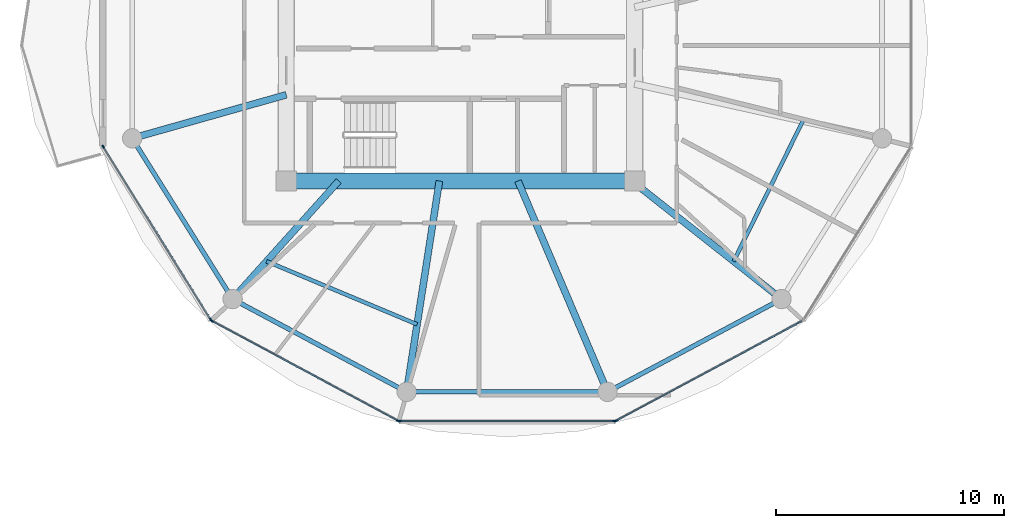
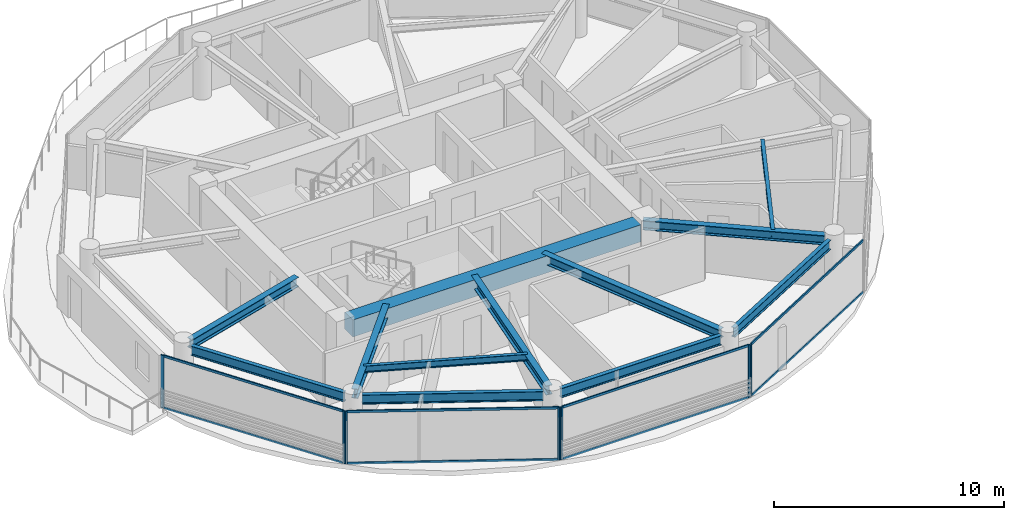
# One storey, part 2 of 22: 15 members, 12 beams, 4 elements without a shape of their own.
"""IFC4 building model written with IfcOpenShell, lengths in metres."""

from ifc_helpers import new_model, si_unit, direction, frame, origin, origin_2d, place, context, subcontext, project, spatial, rectangle, i_section, extrude, source, transform, mapped, material, layer, layer_set, material_profile, profile_set, type_object, type_shapes, element, aggregate, save


model = new_model("IFC4")

# Units and contexts
model_context = context("Model", 3, precision=1e-05, world=origin(), true_north=direction((0.0, 1.0)))
body_context = subcontext(model_context, "Body", "Model", "MODEL_VIEW")
ifc_project = project(units=[si_unit("LENGTHUNIT", "METRE"), si_unit("AREAUNIT", "SQUARE_METRE"), si_unit("VOLUMEUNIT", "CUBIC_METRE"), si_unit("PLANEANGLEUNIT", "RADIAN"), si_unit("MASSUNIT", "GRAM", prefix="KILO")], contexts=[model_context])

# Site, building, storey
site_placement = place(None, origin())
site = spatial("IfcSite", under=ifc_project, at=site_placement, CompositionType="ELEMENT")
building_placement = place(site_placement, origin())
building = spatial("IfcBuilding", under=site, at=building_placement, Name="Norrkilde Senior Care Towers", CompositionType="ELEMENT")
storey_placement = place(building_placement, frame((0.0, 0.0, 87.10009765625)))
storey = spatial("IfcBuildingStorey", under=building, at=storey_placement, Name="L26", CompositionType="ELEMENT", Elevation=87.10009765625)

# Beams
ifc_material_1 = material(Name="Concrete C60/75", Category="concrete")
ifc_material_profile_1 = material_profile(ifc_material_1, rectangle(XDim=0.699951171875, YDim=0.89990234375, at=origin_2d()), Name="RC BM 700x900")
ifc_profile_set_1 = profile_set([ifc_material_profile_1], Name="Concrete C60/75")
beam_type_1 = type_object("IfcBeamType", Name="Core Coupling Girder 700x900", PredefinedType="USERDEFINED", material=ifc_profile_set_1)
shared_shape_1 = source(origin(), body_context, "Body", "SweptSolid", [
    extrude(rectangle(XDim=0.699951171875, YDim=0.89990234375, at=origin_2d()), origin(), (0.0, 0.0, 1.0), 14.43994140625),
])
type_shapes(beam_type_1, [shared_shape_1])
beam_1_placement = place(storey_placement, frame((-35.219970703125, -5.949951171875, 2.33984375), z_axis=(1.0, 0.0, 0.0), x_axis=(0.0, 1.0, 0.0)))
element("IfcBeam", 1, at=beam_1_placement, inside=storey, type_object=beam_type_1, Name="L26 Core W S Coupling Girder", ObjectType="GIRDER", PredefinedType="USERDEFINED", context=body_context, shape_type="MappedRepresentation", body=[
    mapped(shared_shape_1, transform((0.0, 0.0, 0.0), x_axis=(1.0, 0.0, 0.0), y_axis=(0.0, 1.0, 0.0), z_axis=(0.0, 0.0, 1.0), scale=1.0)),
])
ifc_material_2 = material(Name="Steel S355", Category="steel")
ifc_material_profile_2 = material_profile(ifc_material_2, i_section(OverallWidth=0.199951171875, OverallDepth=0.5, WebThickness=0.01025390625, FlangeThickness=0.01611328125, FilletRadius=0.02099609375, at=origin_2d()), Name="IPE 500")
ifc_profile_set_2 = profile_set([ifc_material_profile_2], Name="Steel S355")
beam_type_2 = type_object("IfcBeamType", Name="Perimeter Ring Spandrel Z2 IPE500", PredefinedType="SPANDREL", material=ifc_profile_set_2)
shared_shape_2 = source(origin(), body_context, "Body", "SweptSolid", [
    extrude(i_section(OverallWidth=0.199951171875, OverallDepth=0.5, WebThickness=0.01025390625, FlangeThickness=0.01611328125, FilletRadius=0.02099609375, at=origin_2d()), origin(), (0.0, 0.0, 1.0), 7.892333984375),
])
for number, where, z_axis, x_axis, name in (
    (2, (-37.66650390625, -11.318115234375, 2.539794921875), (0.882350372282, -0.47059305194, 0.0), (0.47059305194, 0.882350372282, 0.0), "L26 Drum W Perimeter Spandrel 08"),
    (3, (-21.197509765625, -15.0322265625, 2.539794921875), (0.882350372282, 0.47059305194, 0.0), (-0.47059305194, 0.882350372282, 0.0), "L26 Drum W Perimeter Spandrel 10"),
):
    element("IfcBeam", number, at=place(storey_placement, frame(where, z_axis=z_axis, x_axis=x_axis)), inside=storey, type_object=beam_type_2, Name=name, PredefinedType="SPANDREL", context=body_context, shape_type="MappedRepresentation", body=[
        mapped(shared_shape_2, transform((0.0, 0.0, 0.0), x_axis=(1.0, 0.0, 0.0), y_axis=(0.0, 1.0, 0.0), z_axis=(0.0, 0.0, 1.0), scale=1.0)),
    ])
ifc_material_profile_3 = material_profile(ifc_material_2, i_section(OverallWidth=0.300048828125, OverallDepth=0.5, WebThickness=0.014404296875, FlangeThickness=0.028076171875, FilletRadius=0.027099609375, at=origin_2d()), Name="HEB 500")
ifc_profile_set_3 = profile_set([ifc_material_profile_3], Name="Steel S355")
beam_type_3 = type_object("IfcBeamType", Name="Radial Floor Beam Z2 HEB500", PredefinedType="BEAM", material=ifc_profile_set_3)
shared_shape_3 = source(origin(), body_context, "Body", "SweptSolid", [
    extrude(i_section(OverallWidth=0.300048828125, OverallDepth=0.5, WebThickness=0.014404296875, FlangeThickness=0.028076171875, FilletRadius=0.027099609375, at=origin_2d()), origin(), (0.0, 0.0, 1.0), 7.985595703125),
])
beam_2_placement = place(storey_placement, frame((-20.463623046875, -5.949951171875, 2.539794921875), z_axis=(0.784858505144, -0.619675017169, 0.0), x_axis=(0.619675017169, 0.784858505144, 0.0)))
element("IfcBeam", 4, at=beam_2_placement, inside=storey, type_object=beam_type_3, Name="L26 Drum W Radial Floor Beam 11", PredefinedType="BEAM", context=body_context, shape_type="MappedRepresentation", body=[
    mapped(shared_shape_3, transform((0.0, 0.0, 0.0), x_axis=(1.0, 0.0, 0.0), y_axis=(0.0, 1.0, 0.0), z_axis=(0.0, 0.0, 1.0), scale=1.0)),
])
shared_shape_4 = source(origin(), body_context, "Body", "SweptSolid", [
    extrude(i_section(OverallWidth=0.199951171875, OverallDepth=0.5, WebThickness=0.01025390625, FlangeThickness=0.01611328125, FilletRadius=0.02099609375, at=origin_2d()), origin(), (0.0, 0.0, 1.0), 8.0556640625),
])
beam_3_placement = place(storey_placement, frame((-29.977783203125, -15.21337890625, 2.539794921875), z_axis=(1.0, 0.0, 0.0), x_axis=(0.0, 1.0, 0.0)))
element("IfcBeam", 5, at=beam_3_placement, inside=storey, type_object=beam_type_2, Name="L26 Drum W Perimeter Spandrel 09", PredefinedType="SPANDREL", context=body_context, shape_type="MappedRepresentation", body=[
    mapped(shared_shape_4, transform((0.0, 0.0, 0.0), x_axis=(1.0, 0.0, 0.0), y_axis=(0.0, 1.0, 0.0), z_axis=(0.0, 0.0, 1.0), scale=1.0)),
])
shared_shape_5 = source(origin(), body_context, "Body", "SweptSolid", [
    extrude(i_section(OverallWidth=0.300048828125, OverallDepth=0.5, WebThickness=0.014404296875, FlangeThickness=0.028076171875, FilletRadius=0.027099609375, at=origin_2d()), origin(), (0.0, 0.0, 1.0), 9.679443359375),
])
beam_4_placement = place(storey_placement, frame((-25.472412109375, -5.949951171875, 2.539794921875), z_axis=(0.390998033479, -0.920391513333, 0.0), x_axis=(0.920391513333, 0.390998033479, 0.0)))
element("IfcBeam", 6, at=beam_4_placement, inside=storey, type_object=beam_type_3, Name="L26 Drum W Radial Floor Beam 10", PredefinedType="BEAM", context=body_context, shape_type="MappedRepresentation", body=[
    mapped(shared_shape_5, transform((0.0, 0.0, 0.0), x_axis=(1.0, 0.0, 0.0), y_axis=(0.0, 1.0, 0.0), z_axis=(0.0, 0.0, 1.0), scale=1.0)),
])
shared_shape_6 = source(origin(), body_context, "Body", "SweptSolid", [
    extrude(i_section(OverallWidth=0.300048828125, OverallDepth=0.5, WebThickness=0.014404296875, FlangeThickness=0.028076171875, FilletRadius=0.027099609375, at=origin_2d()), origin(), (0.0, 0.0, 1.0), 8.989501953125),
])
beam_5_placement = place(storey_placement, frame((-28.924072265625, -5.949951171875, 2.539794921875), z_axis=(-0.153471298636, -0.988153105796, 0.0), x_axis=(0.988153105796, -0.153471298636, 0.0)))
element("IfcBeam", 7, at=beam_5_placement, inside=storey, type_object=beam_type_3, Name="L26 Drum W Radial Floor Beam 09", PredefinedType="BEAM", context=body_context, shape_type="MappedRepresentation", body=[
    mapped(shared_shape_6, transform((0.0, 0.0, 0.0), x_axis=(1.0, 0.0, 0.0), y_axis=(0.0, 1.0, 0.0), z_axis=(0.0, 0.0, 1.0), scale=1.0)),
])
shared_shape_7 = source(origin(), body_context, "Body", "SweptSolid", [
    extrude(i_section(OverallWidth=0.199951171875, OverallDepth=0.5, WebThickness=0.01025390625, FlangeThickness=0.01611328125, FilletRadius=0.02099609375, at=origin_2d()), origin(), (0.0, 0.0, 1.0), 7.556396484375),
])
type_shapes(beam_type_2, [shared_shape_2, shared_shape_4, shared_shape_7])
beam_6_placement = place(storey_placement, frame((-42.215087890625, -4.40283203125, 2.539794921875), z_axis=(0.530004748437, -0.847994673706, 0.0), x_axis=(0.847994673706, 0.530004748437, 0.0)))
element("IfcBeam", 8, at=beam_6_placement, inside=storey, type_object=beam_type_2, Name="L26 Drum W Perimeter Spandrel 07", PredefinedType="SPANDREL", context=body_context, shape_type="MappedRepresentation", body=[
    mapped(shared_shape_7, transform((0.0, 0.0, 0.0), x_axis=(1.0, 0.0, 0.0), y_axis=(0.0, 1.0, 0.0), z_axis=(0.0, 0.0, 1.0), scale=1.0)),
])
shared_shape_8 = source(origin(), body_context, "Body", "SweptSolid", [
    extrude(i_section(OverallWidth=0.300048828125, OverallDepth=0.5, WebThickness=0.014404296875, FlangeThickness=0.028076171875, FilletRadius=0.027099609375, at=origin_2d()), origin(), (0.0, 0.0, 1.0), 6.587890625),
])
beam_7_placement = place(storey_placement, frame((-33.345947265625, -5.949951171875, 2.539794921875), z_axis=(-0.668315438605, -0.743877997068, 0.0), x_axis=(0.743877997068, -0.668315438605, 0.0)))
element("IfcBeam", 9, at=beam_7_placement, inside=storey, type_object=beam_type_3, Name="L26 Drum W Radial Floor Beam 08", PredefinedType="BEAM", context=body_context, shape_type="MappedRepresentation", body=[
    mapped(shared_shape_8, transform((0.0, 0.0, 0.0), x_axis=(1.0, 0.0, 0.0), y_axis=(0.0, 1.0, 0.0), z_axis=(0.0, 0.0, 1.0), scale=1.0)),
])
shared_shape_9 = source(origin(), body_context, "Body", "SweptSolid", [
    extrude(i_section(OverallWidth=0.300048828125, OverallDepth=0.5, WebThickness=0.014404296875, FlangeThickness=0.028076171875, FilletRadius=0.027099609375, at=origin_2d()), origin(), (0.0, 0.0, 1.0), 6.6494140625),
])
type_shapes(beam_type_3, [shared_shape_3, shared_shape_5, shared_shape_6, shared_shape_8, shared_shape_9])
beam_8_placement = place(storey_placement, frame((-35.64990234375, -2.162841796875, 2.539794921875), z_axis=(-0.962289138357, -0.27202870106, 0.0), x_axis=(0.27202870106, -0.962289138357, 0.0)))
element("IfcBeam", 10, at=beam_8_placement, inside=storey, type_object=beam_type_3, Name="L26 Drum W Radial Floor Beam 07", PredefinedType="BEAM", context=body_context, shape_type="MappedRepresentation", body=[
    mapped(shared_shape_9, transform((0.0, 0.0, 0.0), x_axis=(1.0, 0.0, 0.0), y_axis=(0.0, 1.0, 0.0), z_axis=(0.0, 0.0, 1.0), scale=1.0)),
])
ifc_material_profile_4 = material_profile(ifc_material_2, i_section(OverallWidth=0.169921875, OverallDepth=0.360107421875, WebThickness=0.008056640625, FlangeThickness=0.0126953125, FilletRadius=0.01806640625, at=origin_2d()), Name="IPE 360")
ifc_profile_set_4 = profile_set([ifc_material_profile_4], Name="Steel S355")
beam_type_4 = type_object("IfcBeamType", Name="Secondary Floor Joist IPE360", PredefinedType="JOIST", material=ifc_profile_set_4)
shared_shape_10 = source(origin(), body_context, "Body", "SweptSolid", [
    extrude(i_section(OverallWidth=0.169921875, OverallDepth=0.360107421875, WebThickness=0.008056640625, FlangeThickness=0.0126953125, FilletRadius=0.01806640625, at=origin_2d()), origin(), (0.0, 0.0, 1.0), 7.169921875),
])
beam_9_placement = place(storey_placement, frame((-36.514892578125, -9.47705078125, 2.60986328125), z_axis=(0.922240600393, -0.386616444279, 0.0), x_axis=(0.386616444279, 0.922240600393, 0.0)))
element("IfcBeam", 11, at=beam_9_placement, inside=storey, type_object=beam_type_4, Name="L26 Drum W Secondary Floor Joist 3", PredefinedType="JOIST", context=body_context, shape_type="MappedRepresentation", body=[
    mapped(shared_shape_10, transform((0.0, 0.0, 0.0), x_axis=(1.0, 0.0, 0.0), y_axis=(0.0, 1.0, 0.0), z_axis=(0.0, 0.0, 1.0), scale=1.0)),
])
shared_shape_11 = source(origin(), body_context, "Body", "SweptSolid", [
    extrude(i_section(OverallWidth=0.169921875, OverallDepth=0.360107421875, WebThickness=0.008056640625, FlangeThickness=0.0126953125, FilletRadius=0.01806640625, at=origin_2d()), origin(), (0.0, 0.0, 1.0), 6.87353515625),
])
type_shapes(beam_type_4, [shared_shape_10, shared_shape_11])
beam_10_placement = place(storey_placement, frame((-15.99609375, -9.47705078125, 2.60986328125), z_axis=(0.44184939592, 0.897089243791, 0.0), x_axis=(-0.897089243791, 0.44184939592, 0.0)))
element("IfcBeam", 12, at=beam_10_placement, inside=storey, type_object=beam_type_4, Name="L26 Drum W Secondary Floor Joist 4", PredefinedType="JOIST", context=body_context, shape_type="MappedRepresentation", body=[
    mapped(shared_shape_11, transform((0.0, 0.0, 0.0), x_axis=(1.0, 0.0, 0.0), y_axis=(0.0, 1.0, 0.0), z_axis=(0.0, 0.0, 1.0), scale=1.0)),
])

# Curtain wall, members
ifc_material_3 = material(Name="Triple Low-E Insulated Glazing", Category="glass")
ifc_layer = layer(ifc_material_3, 0.195068359375)
ifc_layer_set = layer_set([ifc_layer], Name="Triple Low-E Insulated Glazing")
curtain_wall_type = type_object("IfcCurtainWallType", Name="CW3 Zone 2 Assisted Living Curtain Wall", PredefinedType="NOTDEFINED", material=ifc_layer_set)
curtain_wall_1_placement = place(storey_placement, origin())
curtain_wall_1 = element("IfcCurtainWall", 13, at=curtain_wall_1_placement, inside=storey, type_object=curtain_wall_type, Name="L26 Drum W Curtain Wall 06", PredefinedType="NOTDEFINED")
ifc_material_4 = material(Name="Anodised Aluminium", Category="aluminium")
ifc_material_profile_5 = material_profile(ifc_material_4, rectangle(XDim=0.06494140625, YDim=0.159912109375, at=origin_2d()), Name="ALU MULL 65x160")
ifc_profile_set_5 = profile_set([ifc_material_profile_5], Name="Anodised Aluminium")
member_type_1 = type_object("IfcMemberType", Name="Curtain Wall Mullion Z1-Z2 65x160", PredefinedType="MULLION", material=ifc_profile_set_5)
shared_shape_12 = source(origin(), body_context, "Body", "SweptSolid", [
    extrude(rectangle(XDim=0.06494140625, YDim=0.159912109375, at=origin_2d()), origin(), (0.0, 0.0, 1.0), 2.789794921875),
])
type_shapes(member_type_1, [shared_shape_12])
member_1_placement = place(storey_placement, frame((-38.9638671875, -12.0498046875, 0.0), z_axis=(0.0, 0.0, 1.0), x_axis=(-0.849410171862, -0.527733228002, 0.0)))
member_1 = element("IfcMember", 14, at=member_1_placement, type_object=member_type_1, Name="CW-3 mullion 1", PredefinedType="MULLION", context=body_context, shape_type="MappedRepresentation", body=[
    mapped(shared_shape_12, transform((0.0, 0.0, 0.0), x_axis=(1.0, 0.0, 0.0), y_axis=(0.0, 1.0, 0.0), z_axis=(0.0, 0.0, 1.0), scale=1.0)),
])
member_2_placement = place(storey_placement, frame((-43.6865234375, -4.4482421875, 0.0), z_axis=(0.0, 0.0, 1.0), x_axis=(-0.849410171862, -0.527733228002, 0.0)))
member_2 = element("IfcMember", 15, at=member_2_placement, type_object=member_type_1, Name="CW-3 mullion 2", PredefinedType="MULLION", context=body_context, shape_type="MappedRepresentation", body=[
    mapped(shared_shape_12, transform((0.0, 0.0, 0.0), x_axis=(1.0, 0.0, 0.0), y_axis=(0.0, 1.0, 0.0), z_axis=(0.0, 0.0, 1.0), scale=1.0)),
])

curtain_wall_2_placement = place(storey_placement, origin())
curtain_wall_2 = element("IfcCurtainWall", 16, at=curtain_wall_2_placement, inside=storey, type_object=curtain_wall_type, Name="L26 Drum W Curtain Wall 07", PredefinedType="NOTDEFINED")
member_3_placement = place(storey_placement, frame((-30.73583984375, -16.482666015625, 0.0), z_axis=(0.0, 0.0, 1.0), x_axis=(-0.472769402511, -0.881186184668, 0.0)))
member_3 = element("IfcMember", 17, at=member_3_placement, type_object=member_type_1, Name="CW-3 mullion 1", PredefinedType="MULLION", context=body_context, shape_type="MappedRepresentation", body=[
    mapped(shared_shape_12, transform((0.0, 0.0, 0.0), x_axis=(1.0, 0.0, 0.0), y_axis=(0.0, 1.0, 0.0), z_axis=(0.0, 0.0, 1.0), scale=1.0)),
])
member_4_placement = place(storey_placement, frame((-38.91796875, -12.0927734375, 0.0), z_axis=(0.0, 0.0, 1.0), x_axis=(-0.472769402511, -0.881186184668, 0.0)))
member_4 = element("IfcMember", 18, at=member_4_placement, type_object=member_type_1, Name="CW-3 mullion 2", PredefinedType="MULLION", context=body_context, shape_type="MappedRepresentation", body=[
    mapped(shared_shape_12, transform((0.0, 0.0, 0.0), x_axis=(1.0, 0.0, 0.0), y_axis=(0.0, 1.0, 0.0), z_axis=(0.0, 0.0, 1.0), scale=1.0)),
])

curtain_wall_3_placement = place(storey_placement, origin())
curtain_wall_3 = element("IfcCurtainWall", 19, at=curtain_wall_3_placement, inside=storey, type_object=curtain_wall_type, Name="L26 Drum W Curtain Wall 08", PredefinedType="NOTDEFINED")
member_5_placement = place(storey_placement, frame((-21.225341796875, -16.498046875, 0.0), z_axis=(0.0, 0.0, 1.0), x_axis=(0.0, -1.0, 0.0)))
member_5 = element("IfcMember", 20, at=member_5_placement, type_object=member_type_1, Name="CW-3 mullion 1", PredefinedType="MULLION", context=body_context, shape_type="MappedRepresentation", body=[
    mapped(shared_shape_12, transform((0.0, 0.0, 0.0), x_axis=(1.0, 0.0, 0.0), y_axis=(0.0, 1.0, 0.0), z_axis=(0.0, 0.0, 1.0), scale=1.0)),
])
member_6_placement = place(storey_placement, frame((-30.674560546875, -16.498046875, 0.0), z_axis=(0.0, 0.0, 1.0), x_axis=(0.0, -1.0, 0.0)))
member_6 = element("IfcMember", 21, at=member_6_placement, type_object=member_type_1, Name="CW-3 mullion 2", PredefinedType="MULLION", context=body_context, shape_type="MappedRepresentation", body=[
    mapped(shared_shape_12, transform((0.0, 0.0, 0.0), x_axis=(1.0, 0.0, 0.0), y_axis=(0.0, 1.0, 0.0), z_axis=(0.0, 0.0, 1.0), scale=1.0)),
])

# Curtain wall, member
curtain_wall_4_placement = place(storey_placement, origin())
curtain_wall_4 = element("IfcCurtainWall", 22, at=curtain_wall_4_placement, inside=storey, type_object=curtain_wall_type, Name="L26 Drum W Curtain Wall 09", PredefinedType="NOTDEFINED")
member_7_placement = place(storey_placement, frame((-21.164306640625, -16.482666015625, 0.0), z_axis=(0.0, 0.0, 1.0), x_axis=(0.472769402511, -0.881186184668, 0.0)))
member_7 = element("IfcMember", 23, at=member_7_placement, type_object=member_type_1, Name="CW-3 mullion 2", PredefinedType="MULLION", context=body_context, shape_type="MappedRepresentation", body=[
    mapped(shared_shape_12, transform((0.0, 0.0, 0.0), x_axis=(1.0, 0.0, 0.0), y_axis=(0.0, 1.0, 0.0), z_axis=(0.0, 0.0, 1.0), scale=1.0)),
])

# Member
ifc_material_profile_6 = material_profile(ifc_material_4, rectangle(XDim=0.06005859375, YDim=0.1201171875, at=origin_2d()), Name="ALU TRAN 60x120")
ifc_profile_set_6 = profile_set([ifc_material_profile_6], Name="Anodised Aluminium")
member_type_2 = type_object("IfcMemberType", Name="Curtain Wall Transom Typical 60x120", PredefinedType="USERDEFINED", material=ifc_profile_set_6)
shared_shape_13 = source(origin(), body_context, "Body", "SweptSolid", [
    extrude(rectangle(XDim=0.06005859375, YDim=0.1201171875, at=origin_2d()), origin(), (0.0, 0.0, 1.0), 8.88427734375),
])
member_8_placement = place(storey_placement, frame((-38.98095703125, -12.022216796875, 0.02978515625), z_axis=(-0.527729466743, 0.849412508697, 0.0), x_axis=(-0.849412508697, -0.527729466743, 0.0)))
member_8 = element("IfcMember", 24, at=member_8_placement, type_object=member_type_2, Name="CW-3 transom 1.1", ObjectType="TRANSOM", PredefinedType="USERDEFINED", context=body_context, shape_type="MappedRepresentation", body=[
    mapped(shared_shape_13, transform((0.0, 0.0, 0.0), x_axis=(1.0, 0.0, 0.0), y_axis=(0.0, 1.0, 0.0), z_axis=(0.0, 0.0, 1.0), scale=1.0)),
])

member_9_placement = place(storey_placement, frame((-38.98095703125, -12.022216796875, 2.760009765625), z_axis=(-0.527729466743, 0.849412508697, 0.0), x_axis=(-0.849412508697, -0.527729466743, 0.0)))
member_9 = element("IfcMember", 25, at=member_9_placement, type_object=member_type_2, Name="CW-3 transom 1.2", ObjectType="TRANSOM", PredefinedType="USERDEFINED", context=body_context, shape_type="MappedRepresentation", body=[
    mapped(shared_shape_13, transform((0.0, 0.0, 0.0), x_axis=(1.0, 0.0, 0.0), y_axis=(0.0, 1.0, 0.0), z_axis=(0.0, 0.0, 1.0), scale=1.0)),
])

aggregate(curtain_wall_1, [member_1, member_2, member_8, member_9])

shared_shape_14 = source(origin(), body_context, "Body", "SweptSolid", [
    extrude(rectangle(XDim=0.06005859375, YDim=0.1201171875, at=origin_2d()), origin(), (0.0, 0.0, 1.0), 9.220458984375),
])
member_10_placement = place(storey_placement, frame((-30.764404296875, -16.46728515625, 0.02978515625), z_axis=(-0.881188517866, 0.472765053681, 0.0), x_axis=(-0.472765053681, -0.881188517866, 0.0)))
member_10 = element("IfcMember", 26, at=member_10_placement, type_object=member_type_2, Name="CW-3 transom 1.1", ObjectType="TRANSOM", PredefinedType="USERDEFINED", context=body_context, shape_type="MappedRepresentation", body=[
    mapped(shared_shape_14, transform((0.0, 0.0, 0.0), x_axis=(1.0, 0.0, 0.0), y_axis=(0.0, 1.0, 0.0), z_axis=(0.0, 0.0, 1.0), scale=1.0)),
])

member_11_placement = place(storey_placement, frame((-30.764404296875, -16.46728515625, 2.760009765625), z_axis=(-0.881188517866, 0.472765053681, 0.0), x_axis=(-0.472765053681, -0.881188517866, 0.0)))
member_11 = element("IfcMember", 27, at=member_11_placement, type_object=member_type_2, Name="CW-3 transom 1.2", ObjectType="TRANSOM", PredefinedType="USERDEFINED", context=body_context, shape_type="MappedRepresentation", body=[
    mapped(shared_shape_14, transform((0.0, 0.0, 0.0), x_axis=(1.0, 0.0, 0.0), y_axis=(0.0, 1.0, 0.0), z_axis=(0.0, 0.0, 1.0), scale=1.0)),
])

aggregate(curtain_wall_2, [member_3, member_4, member_10, member_11])

member_12_placement = place(storey_placement, frame((-13.0107421875, -12.108154296875, 0.02978515625), z_axis=(-0.881188517866, -0.472765053681, 0.0), x_axis=(0.472765053681, -0.881188517866, 0.0)))
member_12 = element("IfcMember", 28, at=member_12_placement, type_object=member_type_2, Name="CW-3 transom 1.1", ObjectType="TRANSOM", PredefinedType="USERDEFINED", context=body_context, shape_type="MappedRepresentation", body=[
    mapped(shared_shape_14, transform((0.0, 0.0, 0.0), x_axis=(1.0, 0.0, 0.0), y_axis=(0.0, 1.0, 0.0), z_axis=(0.0, 0.0, 1.0), scale=1.0)),
])

member_13_placement = place(storey_placement, frame((-13.0107421875, -12.108154296875, 2.760009765625), z_axis=(-0.881188517866, -0.472765053681, 0.0), x_axis=(0.472765053681, -0.881188517866, 0.0)))
member_13 = element("IfcMember", 29, at=member_13_placement, type_object=member_type_2, Name="CW-3 transom 1.2", ObjectType="TRANSOM", PredefinedType="USERDEFINED", context=body_context, shape_type="MappedRepresentation", body=[
    mapped(shared_shape_14, transform((0.0, 0.0, 0.0), x_axis=(1.0, 0.0, 0.0), y_axis=(0.0, 1.0, 0.0), z_axis=(0.0, 0.0, 1.0), scale=1.0)),
])

aggregate(curtain_wall_4, [member_7, member_12, member_13])

shared_shape_15 = source(origin(), body_context, "Body", "SweptSolid", [
    extrude(rectangle(XDim=0.06005859375, YDim=0.1201171875, at=origin_2d()), origin(), (0.0, 0.0, 1.0), 9.38427734375),
])
type_shapes(member_type_2, [shared_shape_13, shared_shape_14, shared_shape_15])
member_14_placement = place(storey_placement, frame((-21.2578125, -16.498046875, 0.02978515625), z_axis=(-1.0, 0.0, 0.0), x_axis=(0.0, -1.0, 0.0)))
member_14 = element("IfcMember", 30, at=member_14_placement, type_object=member_type_2, Name="CW-3 transom 1.1", ObjectType="TRANSOM", PredefinedType="USERDEFINED", context=body_context, shape_type="MappedRepresentation", body=[
    mapped(shared_shape_15, transform((0.0, 0.0, 0.0), x_axis=(1.0, 0.0, 0.0), y_axis=(0.0, 1.0, 0.0), z_axis=(0.0, 0.0, 1.0), scale=1.0)),
])

member_15_placement = place(storey_placement, frame((-21.2578125, -16.498046875, 2.760009765625), z_axis=(-1.0, 0.0, 0.0), x_axis=(0.0, -1.0, 0.0)))
member_15 = element("IfcMember", 31, at=member_15_placement, type_object=member_type_2, Name="CW-3 transom 1.2", ObjectType="TRANSOM", PredefinedType="USERDEFINED", context=body_context, shape_type="MappedRepresentation", body=[
    mapped(shared_shape_15, transform((0.0, 0.0, 0.0), x_axis=(1.0, 0.0, 0.0), y_axis=(0.0, 1.0, 0.0), z_axis=(0.0, 0.0, 1.0), scale=1.0)),
])

aggregate(curtain_wall_3, [member_5, member_6, member_14, member_15])

save(model, "model.ifc")
